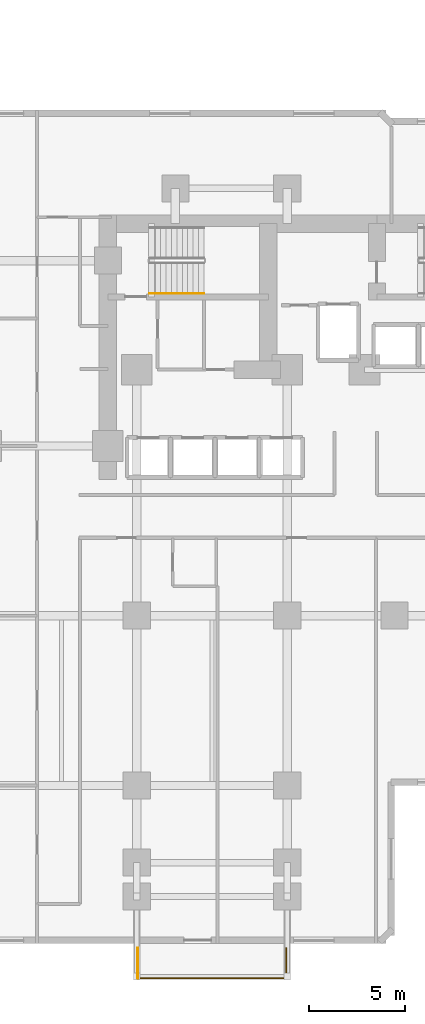
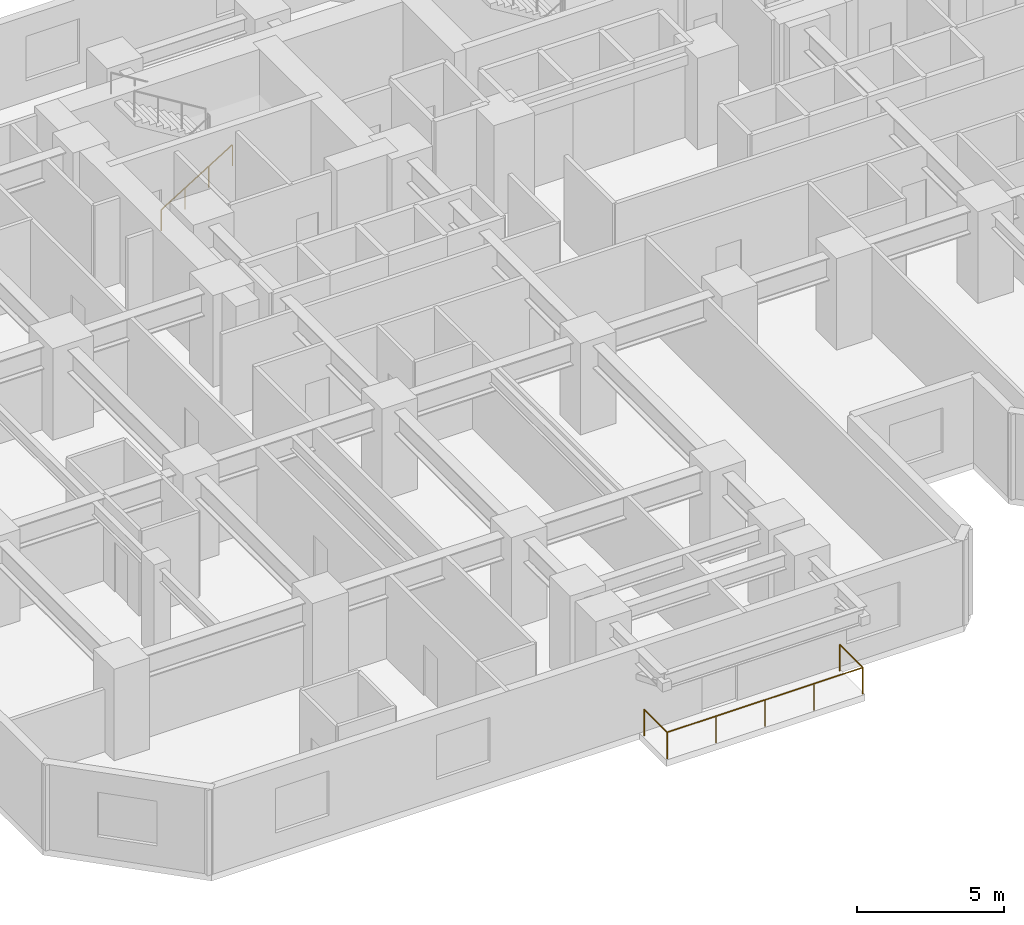
# One storey, part 11 of 12: 3 railings.
"""IFC4 building model written with IfcOpenShell, lengths in metres."""

import ifcopenshell
import ifcopenshell.guid

model = None  # the IFC model being written
_history = None  # IfcOwnerHistory: only IFC2X3 demands one
_inside = {}  # id of a spatial element -> (the spatial element, [elements in it])
_under = {}  # id of a project, library or spatial element -> (it, [spatial elements below it])
_declared = {}  # id of a project -> (the project, [libraries it declares])
_typed = {}  # id of a type object -> (the type object, [elements of that type])
_made_of = {}  # id of a material, layer set ... -> (it, [elements and type objects made of it])


def new_model(schema):
    """Start an empty IFC model of exactly this schema.

    Asked for "IFC4X3", IfcOpenShell would pick the latest addendum, in which some entities
    have other attributes; the version numbers below select the first issue.
    IFC2X3 requires an IfcOwnerHistory on every rooted entity: one is made here for all.
    """
    global model, _history
    if schema == "IFC4X3":
        model = ifcopenshell.file(schema_version=(4, 3, 0, 0))
    else:
        model = ifcopenshell.file(schema=schema)
    _inside.clear()
    _under.clear()
    _declared.clear()
    _typed.clear()
    _made_of.clear()
    _history = None
    if model.schema == "IFC2X3":
        org = make("IfcOrganization", Name="unknown")
        user = make(
            "IfcPersonAndOrganization",
            ThePerson=make("IfcPerson", FamilyName="unknown"),
            TheOrganization=org,
        )
        app = make(
            "IfcApplication",
            ApplicationDeveloper=org,
            Version="unknown",
            ApplicationFullName="unknown",
            ApplicationIdentifier="unknown",
        )
        _history = make(
            "IfcOwnerHistory",
            OwningUser=user,
            OwningApplication=app,
            ChangeAction="ADDED",
            CreationDate=0,
        )
    return model


def make(cls, **values):
    """One entity of the class cls with the attributes given. An attribute that is None is left unset."""
    return model.create_entity(
        cls, **{name: value for name, value in values.items() if value is not None}
    )


def rooted(cls, **values):
    """An entity with a GlobalId (a new one), such as an element, a storey or a relation."""
    return make(cls, GlobalId=ifcopenshell.guid.new(), OwnerHistory=_history, **values)


def si_unit(unit_type, name, prefix=None):
    """IfcSIUnit, for example si_unit("LENGTHUNIT", "METRE", prefix="MILLI")."""
    return make("IfcSIUnit", UnitType=unit_type, Prefix=prefix, Name=name)


def assignment(units):
    """IfcUnitAssignment: the units of a project."""
    return None if units is None else make("IfcUnitAssignment", Units=units)


def point(xyz):
    """IfcCartesianPoint."""
    return None if xyz is None else make("IfcCartesianPoint", Coordinates=xyz)


def direction(xyz):
    """IfcDirection."""
    return None if xyz is None else make("IfcDirection", DirectionRatios=xyz)


def frame(location, z_axis=None, x_axis=None):
    """IfcAxis2Placement3D, a coordinate frame: its origin and axes. An axis left out is left unset."""
    return make(
        "IfcAxis2Placement3D",
        Location=point(location),
        Axis=direction(z_axis),
        RefDirection=direction(x_axis),
    )


def frame_2d(location, x_axis=None):
    """IfcAxis2Placement2D, a coordinate frame in the plane: its origin and x axis."""
    return make(
        "IfcAxis2Placement2D", Location=point(location), RefDirection=direction(x_axis)
    )


def origin():
    """The frame at (0, 0, 0) with its axes left unset."""
    return frame((0.0, 0.0, 0.0))


def origin_2d():
    """The frame at (0, 0) in the plane with its x axis left unset."""
    return frame_2d((0.0, 0.0))


def place(relative_to, where):
    """IfcLocalPlacement: puts the frame where relative to a parent placement (None: the world)."""
    return make(
        "IfcLocalPlacement", PlacementRelTo=relative_to, RelativePlacement=where
    )


def context(
    kind, dimensions, precision=None, world=None, true_north=None, identifier=None
):
    """IfcGeometricRepresentationContext, for example the 3D "Model" context."""
    return make(
        "IfcGeometricRepresentationContext",
        ContextIdentifier=identifier,
        ContextType=kind,
        CoordinateSpaceDimension=dimensions,
        Precision=precision,
        WorldCoordinateSystem=world,
        TrueNorth=true_north,
    )


def subcontext(parent, identifier, kind, view, scale=None):
    """IfcGeometricRepresentationSubContext, for example "Body" below "Model"."""
    return make(
        "IfcGeometricRepresentationSubContext",
        ContextIdentifier=identifier,
        ContextType=kind,
        ParentContext=parent,
        TargetScale=scale,
        TargetView=view,
    )


def project(units=None, contexts=None):
    """IfcProject with its units and contexts."""
    return rooted(
        "IfcProject",
        Name="project",
        RepresentationContexts=contexts,
        UnitsInContext=assignment(units),
    )


def spatial(cls, under=None, at=None, **own):
    """A site, building, storey or space (cls), placed at a placement, below another one or the project."""
    s = rooted(cls, ObjectPlacement=at, **own)
    if under is not None:
        _under.setdefault(under.id(), (under, []))[1].append(s)
    return s


def profile(cls, at=None, kind="AREA", **sizes):
    """A parametric profile (cls). Its sizes go by their IFC names, for example OverallWidth=200.0."""
    return make(cls, ProfileType=kind, Position=at, **sizes)


def circle(**sizes):
    """IfcCircleProfileDef."""
    return profile("IfcCircleProfileDef", **sizes)


def extrude(swept, where, along, depth):
    """IfcExtrudedAreaSolid: the profile swept, set in the frame where, extruded along a direction by depth."""
    return make(
        "IfcExtrudedAreaSolid",
        SweptArea=swept,
        Position=where,
        ExtrudedDirection=direction(along),
        Depth=depth,
    )


def shape(context_of_items, identifier, shape_type, items):
    """IfcShapeRepresentation: the items that make up one representation, for example the "Body"."""
    return make(
        "IfcShapeRepresentation",
        ContextOfItems=context_of_items,
        RepresentationIdentifier=identifier,
        RepresentationType=shape_type,
        Items=items,
    )


def material(Name=None, Category=None):
    """IfcMaterial."""
    return make("IfcMaterial", Name=Name, Category=Category)


def made_of(thing, what):
    """Note that an element or type object is made of a material, layer set ...; save() writes the relation."""
    if what is not None:
        _made_of.setdefault(what.id(), (what, []))[1].append(thing)
    return thing


def type_object(cls, material=None, **own):
    """A type object (cls), such as IfcWallType, which elements share."""
    return made_of(rooted(cls, **own), material)


def element(
    cls,
    number,
    at=None,
    inside=None,
    cuts=None,
    type_object=None,
    material=None,
    context=None,
    identifier="Body",
    shape_type=None,
    held_by="IfcProductDefinitionShape",
    body=None,
    shapes=None,
    **own,
):
    """One element of the class cls, such as IfcWall. Its Tag is "e" and its number.

    at: its placement. inside: the storey or other place that contains it. cuts: it is an
    opening in that element (IfcRelVoidsElement). A single representation is given by context,
    identifier, shape_type and body (its items); several are given by shapes. held_by: the class
    of the entity that holds the representations. save() writes the other relations.
    """
    e = rooted(cls, Tag="e%d" % number, ObjectPlacement=at, **own)
    if body is not None:
        shapes = [shape(context, identifier, shape_type, body)]
    if shapes is not None:
        e.Representation = make(held_by, Representations=shapes)
    if inside is not None:
        _inside.setdefault(inside.id(), (inside, []))[1].append(e)
    if cuts is not None:
        rooted(
            "IfcRelVoidsElement", RelatingBuildingElement=cuts, RelatedOpeningElement=e
        )
    if type_object is not None:
        _typed.setdefault(type_object.id(), (type_object, []))[1].append(e)
    return made_of(e, material)


def aggregate(whole, parts):
    """IfcRelAggregates: a whole, such as a stair, and the parts it consists of."""
    return rooted("IfcRelAggregates", RelatingObject=whole, RelatedObjects=parts)


def save(model, path):
    """Write the relations noted so far, then the file.

    IfcRelAggregates (storeys below a building ...), IfcRelContainedInSpatialStructure (elements
    in a storey), IfcRelDefinesByType, IfcRelAssociatesMaterial and IfcRelDeclares: one each for
    every whole, place, type object, material and project.
    """
    for whole, parts in _under.values():
        aggregate(whole, parts)
    for where, things in _inside.values():
        rooted(
            "IfcRelContainedInSpatialStructure",
            RelatedElements=things,
            RelatingStructure=where,
        )
    for kind, things in _typed.values():
        rooted("IfcRelDefinesByType", RelatedObjects=things, RelatingType=kind)
    for what, things in _made_of.values():
        rooted("IfcRelAssociatesMaterial", RelatedObjects=things, RelatingMaterial=what)
    for by, libraries in _declared.values():
        rooted("IfcRelDeclares", RelatingContext=by, RelatedDefinitions=libraries)
    model.write(path)


model = new_model("IFC4")

# Units and contexts
model_context = context("Model", 3, precision=1e-05, world=origin(), true_north=direction((0.0, 1.0)))
body_context = subcontext(model_context, "Body", "Model", "MODEL_VIEW")
ifc_project = project(units=[si_unit("LENGTHUNIT", "METRE"), si_unit("AREAUNIT", "SQUARE_METRE"), si_unit("VOLUMEUNIT", "CUBIC_METRE"), si_unit("PLANEANGLEUNIT", "RADIAN"), si_unit("MASSUNIT", "GRAM", prefix="KILO")], contexts=[model_context])

# Site, building, storey
site_placement = place(None, origin())
site = spatial("IfcSite", under=ifc_project, at=site_placement, CompositionType="ELEMENT")
building_placement = place(site_placement, origin())
building = spatial("IfcBuilding", under=site, at=building_placement, Name="Kestravale Grand Hotel", CompositionType="ELEMENT")
storey_placement = place(building_placement, frame((0.0, 0.0, 52.60009765625)))
storey = spatial("IfcBuildingStorey", under=building, at=storey_placement, Name="L12", CompositionType="ELEMENT", Elevation=52.60009765625)

# Railings
ifc_material_1 = material(Name="Champagne-bronze stainless steel and laminated glass guard", Category="steel")
railing_type_1 = type_object("IfcRailingType", Name="RL-EXT-1100", PredefinedType="GUARDRAIL", material=ifc_material_1)
railing_1_placement = place(storey_placement, frame((23.4599609375, 1.2099609375, 0.0)))
element("IfcRailing", 1, at=railing_1_placement, inside=storey, type_object=railing_type_1, Name="L12 outdoor terrace guard 1", PredefinedType="GUARDRAIL", context=body_context, shape_type="SweptSolid", body=[
    extrude(circle(Radius=0.02392578125, at=origin_2d()), frame((0.0, 0.0, 1.09619140625), z_axis=(0.0, 1.0, 0.0), x_axis=(-1.0, 0.0, 0.0)), (0.0, 0.0, 1.0), 1.570068359375),
    extrude(circle(Radius=0.02099609375, at=origin_2d()), origin(), (0.0, 0.0, 1.0), 1.072021484375),
    extrude(circle(Radius=0.02099609375, at=origin_2d()), frame((0.0, 1.570068359375, 0.0)), (0.0, 0.0, 1.0), 1.072021484375),
])
railing_2_placement = place(storey_placement, frame((31.139892578125, 2.780029296875, 0.0)))
element("IfcRailing", 2, at=railing_2_placement, inside=storey, type_object=railing_type_1, Name="L12 outdoor terrace guard 2", PredefinedType="GUARDRAIL", context=body_context, shape_type="SweptSolid", body=[
    extrude(circle(Radius=0.02392578125, at=origin_2d()), frame((0.0, 0.0, 1.09619140625), z_axis=(0.0, -1.0, 0.0), x_axis=(1.0, 0.0, 0.0)), (0.0, 0.0, 1.0), 1.570068359375),
    extrude(circle(Radius=0.02392578125, at=origin_2d()), frame((0.0, -1.570068359375, 1.09619140625), z_axis=(-1.0, 0.0, 0.0), x_axis=(0.0, -1.0, 0.0)), (0.0, 0.0, 1.0), 7.679931640625),
    extrude(circle(Radius=0.02099609375, at=origin_2d()), origin(), (0.0, 0.0, 1.0), 1.072021484375),
    extrude(circle(Radius=0.02099609375, at=origin_2d()), frame((0.0, -1.570068359375, 0.0)), (0.0, 0.0, 1.0), 1.072021484375),
    extrude(circle(Radius=0.02099609375, at=origin_2d()), frame((-1.919921875, -1.570068359375, 0.0)), (0.0, 0.0, 1.0), 1.072021484375),
    extrude(circle(Radius=0.02099609375, at=origin_2d()), frame((-3.83984375, -1.570068359375, 0.0)), (0.0, 0.0, 1.0), 1.072021484375),
    extrude(circle(Radius=0.02099609375, at=origin_2d()), frame((-5.760009765625, -1.570068359375, 0.0)), (0.0, 0.0, 1.0), 1.072021484375),
    extrude(circle(Radius=0.02099609375, at=origin_2d()), frame((-7.679931640625, -1.570068359375, 0.0)), (0.0, 0.0, 1.0), 1.072021484375),
])
ifc_material_2 = material(Name="Brushed stainless steel wall handrail", Category="steel")
railing_type_2 = type_object("IfcRailingType", Name="RL-ST-HND900", PredefinedType="HANDRAIL", material=ifc_material_2)
railing_3_placement = place(storey_placement, frame((24.080078125, 36.699951171875, 0.172607421875)))
element("IfcRailing", 3, at=railing_3_placement, inside=storey, type_object=railing_type_2, Name="L12 ST-1 stair handrail 1", PredefinedType="HANDRAIL", context=body_context, shape_type="SweptSolid", body=[
    extrude(circle(Radius=0.02392578125, at=origin_2d()), frame((0.0, 0.0, 0.8759765625), z_axis=(0.851069175582, 0.0, 0.525053576669), x_axis=(0.0, 1.0, 0.0)), (0.0, 0.0, 1.0), 3.289794921875),
    extrude(circle(Radius=0.02099609375, at=origin_2d()), origin(), (0.0, 0.0, 1.0), 0.851806640625),
    extrude(circle(Radius=0.02099609375, at=origin_2d()), frame((0.933349609375, 0.0, 0.57568359375)), (0.0, 0.0, 1.0), 0.851806640625),
    extrude(circle(Radius=0.02099609375, at=origin_2d()), frame((1.866455078125, 0.0, 1.151611328125)), (0.0, 0.0, 1.0), 0.851806640625),
    extrude(circle(Radius=0.02099609375, at=origin_2d()), frame((2.7998046875, 0.0, 1.727294921875)), (0.0, 0.0, 1.0), 0.851806640625),
])

save(model, "model.ifc")
